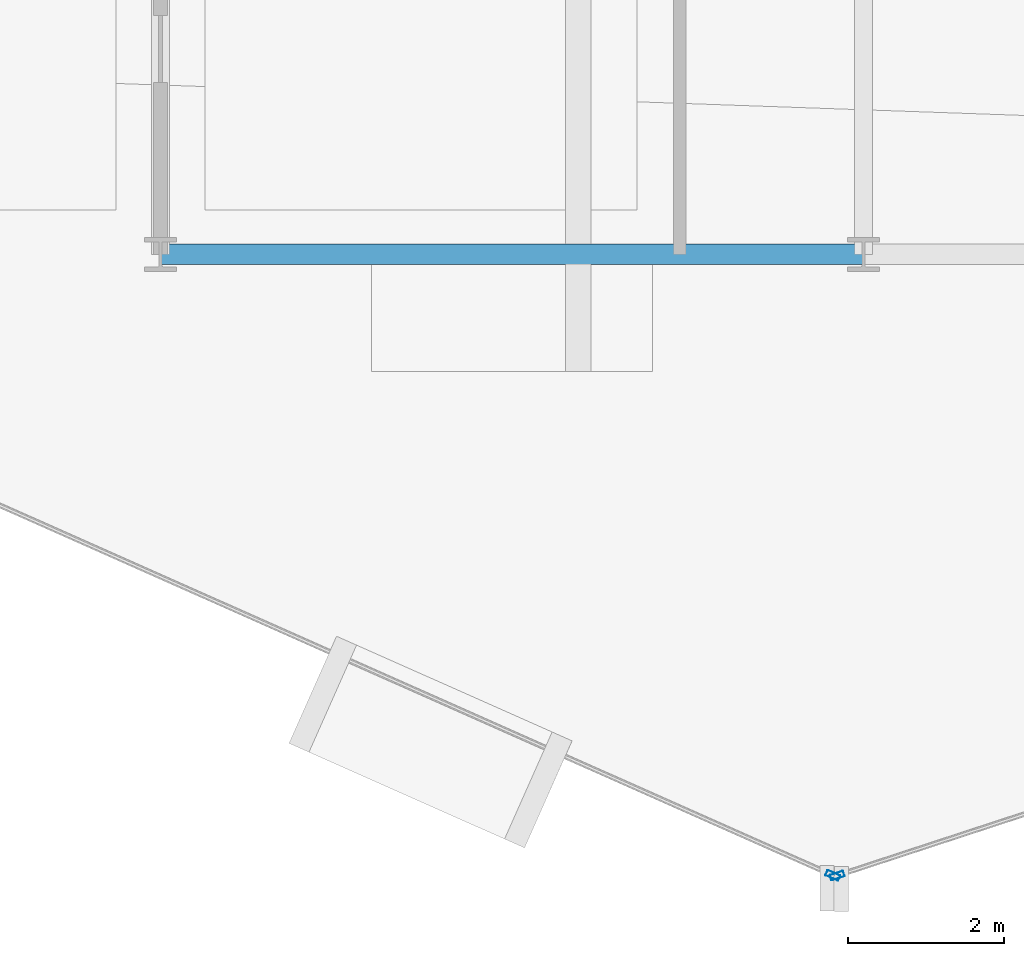
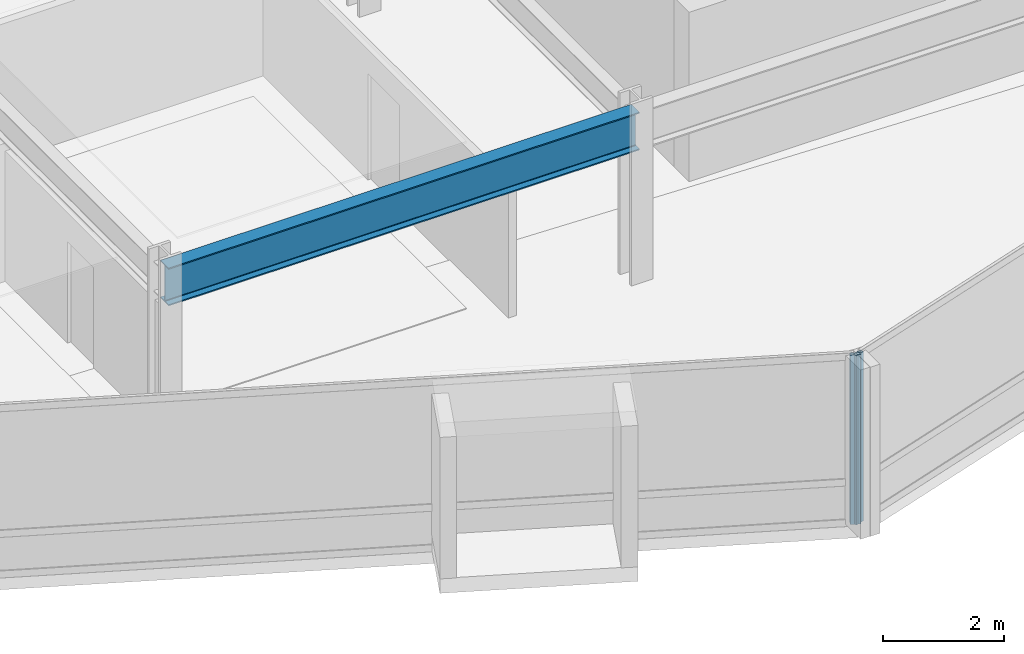
# One storey, part 4 of 29: 2 members, 1 beam, 2 elements without a shape of their own.
"""IFC4 building model written with IfcOpenShell, lengths in metres."""

from ifc_helpers import new_model, si_unit, direction, frame, origin, origin_2d, place, context, subcontext, project, spatial, hollow_rectangle, i_section, extrude, material, layer, layer_set, material_profile, profile_set, type_object, element, aggregate, save


model = new_model("IFC4")

# Units and contexts
model_context = context("Model", 3, precision=1e-05, world=origin(), true_north=direction((0.0, 1.0)))
body_context = subcontext(model_context, "Body", "Model", "MODEL_VIEW")
ifc_project = project(units=[si_unit("LENGTHUNIT", "METRE"), si_unit("AREAUNIT", "SQUARE_METRE"), si_unit("VOLUMEUNIT", "CUBIC_METRE"), si_unit("PLANEANGLEUNIT", "RADIAN"), si_unit("MASSUNIT", "GRAM", prefix="KILO")], contexts=[model_context])

# Site, building, storey
site_placement = place(None, origin())
site = spatial("IfcSite", under=ifc_project, at=site_placement, CompositionType="ELEMENT")
building_placement = place(site_placement, origin())
building = spatial("IfcBuilding", under=site, at=building_placement, Name="Solvaryn Broadcast Tower", CompositionType="ELEMENT")
storey_placement = place(building_placement, frame((0.0, 0.0, 147.0)))
storey = spatial("IfcBuildingStorey", under=building, at=storey_placement, Name="L36", CompositionType="ELEMENT", Elevation=147.0)

# Beam
ifc_material_1 = material(Name="Steel ASTM A992 Grade 50", Category="steel")
ifc_material_profile_1 = material_profile(ifc_material_1, i_section(OverallWidth=0.26708984375, OverallDepth=0.76611328125, WebThickness=0.014892578125, FlangeThickness=0.023681640625, FilletRadius=0.01806640625, at=origin_2d()))
ifc_profile_set_1 = profile_set([ifc_material_profile_1], Name="Steel ASTM A992 Grade 50")
beam_type = type_object("IfcBeamType", Name="BM-SP2-W30X124", PredefinedType="USERDEFINED", material=ifc_profile_set_1)
beam_placement = place(storey_placement, frame((18.0, 9.0, 3.037109375), z_axis=(1.0, 0.0, 0.0), x_axis=(0.0, 1.0, 0.0)))
element("IfcBeam", 1, at=beam_placement, inside=storey, type_object=beam_type, Name="L36 Spandrel Beam X (18-27 @ Y=9)", ObjectType="SPANDREL", PredefinedType="USERDEFINED", context=body_context, shape_type="SweptSolid", body=[
    extrude(i_section(OverallWidth=0.26708984375, OverallDepth=0.76611328125, WebThickness=0.014892578125, FlangeThickness=0.023681640625, FilletRadius=0.01806640625, at=origin_2d()), origin(), (0.0, 0.0, 1.0), 9.0),
])

# Curtain wall, member
ifc_material_2 = material(Name="Aluminium and Terracotta Unitised Curtain Wall", Category="masonry")
ifc_layer = layer(ifc_material_2, 0.199951171875)
ifc_layer_set = layer_set([ifc_layer], Name="CW-SYS2-LOWMID")
curtain_wall_type = type_object("IfcCurtainWallType", Name="CW-SYS2-LOWMID", PredefinedType="NOTDEFINED", material=ifc_layer_set)
curtain_wall_1_placement = place(storey_placement, origin())
curtain_wall_1 = element("IfcCurtainWall", 2, at=curtain_wall_1_placement, inside=storey, type_object=curtain_wall_type, Name="L36 Curtain Wall DR3", PredefinedType="NOTDEFINED")
ifc_material_3 = material(Name="Anodised Aluminium 6063-T6", Category="aluminium")
ifc_material_profile_2 = material_profile(ifc_material_3, hollow_rectangle(XDim=0.074951171875, YDim=0.179931640625, WallThickness=0.00390625, InnerFilletRadius=0.00390625, OuterFilletRadius=0.008056640625, at=origin_2d()))
ifc_profile_set_2 = profile_set([ifc_material_profile_2], Name="Anodised Aluminium 6063-T6")
member_type = type_object("IfcMemberType", Name="CW-MUL-180", PredefinedType="MULLION", material=ifc_profile_set_2)
member_1_placement = place(storey_placement, frame((26.608642578125, 1.046142578125, 0.0), z_axis=(0.0, 0.0, 1.0), x_axis=(0.405918429309, 0.913909311008, 0.0)))
member_1 = element("IfcMember", 3, at=member_1_placement, type_object=member_type, Name="CWS2 mullion 2", PredefinedType="MULLION", context=body_context, shape_type="SweptSolid", body=[
    extrude(hollow_rectangle(XDim=0.074951171875, YDim=0.179931640625, WallThickness=0.00390625, InnerFilletRadius=0.00390625, OuterFilletRadius=0.008056640625, at=origin_2d()), origin(), (0.0, 0.0, 1.0), 3.419921875),
])
aggregate(curtain_wall_1, [member_1])

curtain_wall_2_placement = place(storey_placement, origin())
curtain_wall_2 = element("IfcCurtainWall", 4, at=curtain_wall_2_placement, inside=storey, type_object=curtain_wall_type, Name="L36 Curtain Wall DR4", PredefinedType="NOTDEFINED")
member_2_placement = place(storey_placement, frame((26.66455078125, 1.04345703125, 0.0), z_axis=(0.0, 0.0, 1.0), x_axis=(-0.311646057547, 0.950198260794, 0.0)))
member_2 = element("IfcMember", 5, at=member_2_placement, type_object=member_type, Name="CWS2 mullion 1", PredefinedType="MULLION", context=body_context, shape_type="SweptSolid", body=[
    extrude(hollow_rectangle(XDim=0.074951171875, YDim=0.179931640625, WallThickness=0.00390625, InnerFilletRadius=0.00390625, OuterFilletRadius=0.008056640625, at=origin_2d()), origin(), (0.0, 0.0, 1.0), 3.419921875),
])
aggregate(curtain_wall_2, [member_2])

save(model, "model.ifc")
